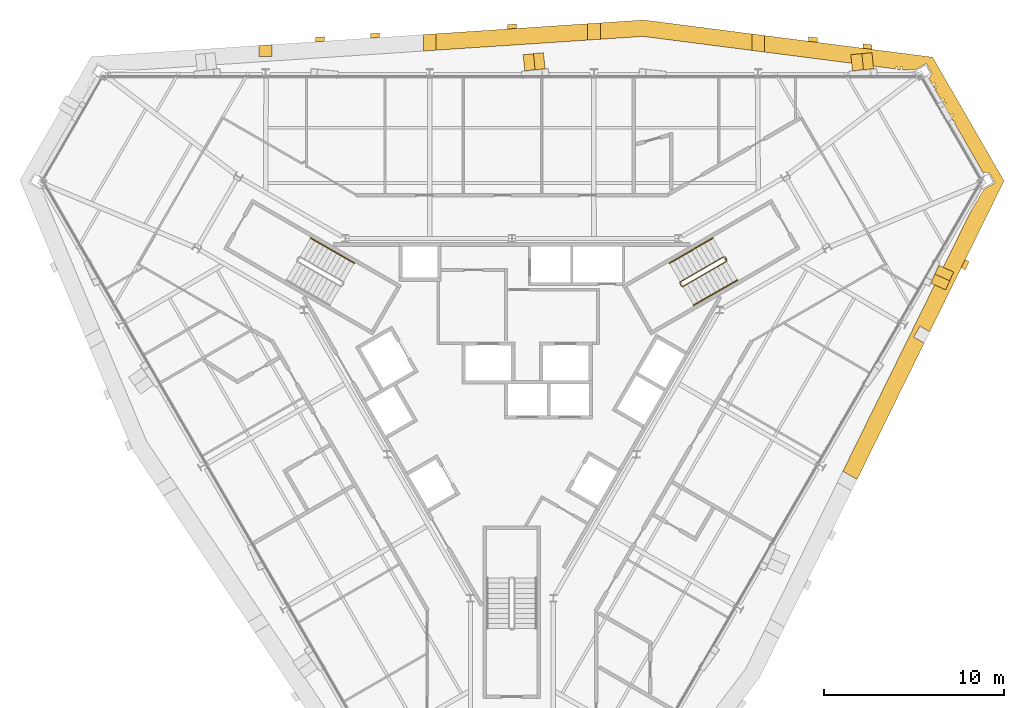
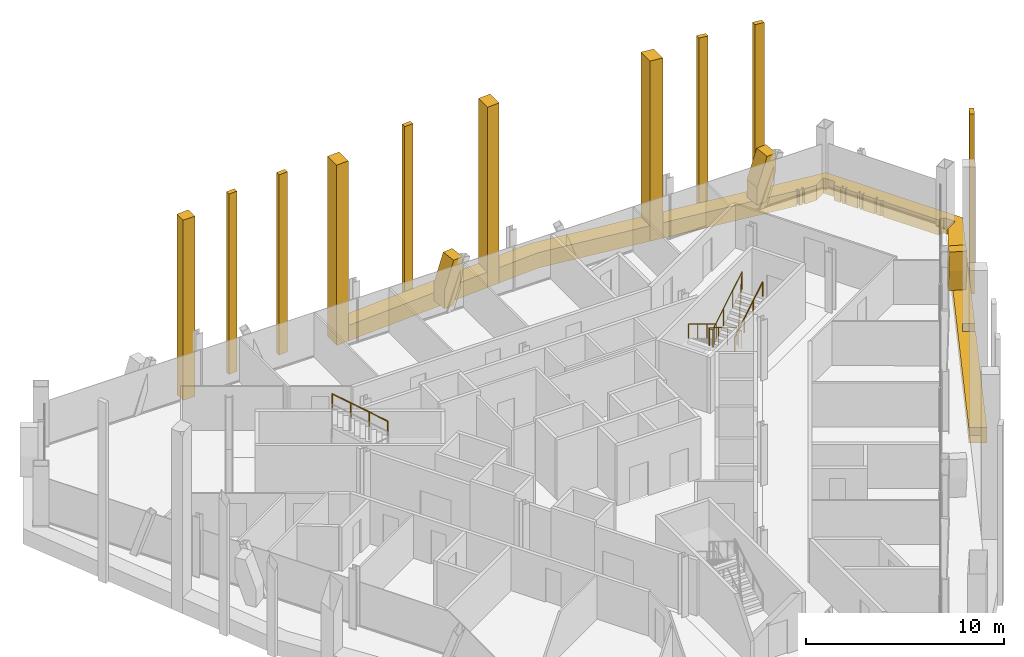
# One storey, part 16 of 16: 16 coverings, 4 railings.
"""IFC4 building model written with IfcOpenShell, lengths in metres."""

from ifc_helpers import new_model, si_unit, direction, frame, origin, origin_2d, place, context, subcontext, project, spatial, polyline, circle, outline, extrude, material, layer, layer_set, type_object, element, save


model = new_model("IFC4")

# Units and contexts
model_context = context("Model", 3, precision=1e-05, world=origin(), true_north=direction((0.0, 1.0)))
body_context = subcontext(model_context, "Body", "Model", "MODEL_VIEW")
ifc_project = project(units=[si_unit("LENGTHUNIT", "METRE"), si_unit("AREAUNIT", "SQUARE_METRE"), si_unit("VOLUMEUNIT", "CUBIC_METRE"), si_unit("PLANEANGLEUNIT", "RADIAN"), si_unit("MASSUNIT", "GRAM", prefix="KILO")], contexts=[model_context])

# Site, building, storey
site_placement = place(None, origin())
site = spatial("IfcSite", under=ifc_project, at=site_placement, CompositionType="ELEMENT")
building_placement = place(site_placement, origin())
building = spatial("IfcBuilding", under=site, at=building_placement, Name="Verrane Prism Tower", CompositionType="ELEMENT")
storey_placement = place(building_placement, frame((0.0, 0.0, 247.10009765625)))
storey = spatial("IfcBuildingStorey", under=building, at=storey_placement, Name="L62", CompositionType="ELEMENT", Elevation=247.10009765625)

# Railings
ifc_material_1 = material(Name="Steel A36 rail and posts, no infill", Category="steel")
railing_type_1 = type_object("IfcRailingType", Name="Stair guard 1100 steel rail and posts", PredefinedType="GUARDRAIL", material=ifc_material_1)
railing_1_placement = place(storey_placement, frame((11.78955078125, 6.97998046875, 0.16796875)))
element("IfcRailing", 1, at=railing_1_placement, inside=storey, type_object=railing_type_1, Name="Stair 1 guard", PredefinedType="GUARDRAIL", context=body_context, shape_type="SweptSolid", body=[
    extrude(circle(Radius=0.02392578125, at=origin_2d()), frame((0.0, 0.0, 1.076171875), z_axis=(-0.742366697286, -0.42866220388, 0.514917859203), x_axis=(0.500049511043, -0.865996816683, 0.0)), (0.0, 0.0, 1.0), 3.266357421875),
    extrude(circle(Radius=0.02392578125, at=origin_2d()), frame((-2.4248046875, -1.400146484375, 2.7578125), z_axis=(-0.259601060869, -0.965715946433, 0.0), x_axis=(0.965715946433, -0.259601060869, 0.0)), (0.0, 0.0, 1.0), 0.070556640625),
    extrude(circle(Radius=0.02392578125, at=origin_2d()), frame((-2.443115234375, -1.46826171875, 2.7578125), z_axis=(0.499158860599, -0.866510491504, 0.0), x_axis=(0.866510491504, 0.499158860599, 0.0)), (0.0, 0.0, 1.0), 0.199951171875),
    extrude(circle(Radius=0.02392578125, at=origin_2d()), frame((-2.34326171875, -1.6416015625, 2.7578125), z_axis=(0.374585375571, -0.100335368456, 0.921747584887), x_axis=(0.258736085224, 0.965948051503, 0.0)), (0.0, 0.0, 1.0), 0.182373046875),
    extrude(circle(Radius=0.02392578125, at=origin_2d()), frame((-2.27490234375, -1.659912109375, 2.92626953125), z_axis=(0.742366697286, 0.42866220388, 0.514917859203), x_axis=(-0.500049511043, 0.865996816683, 0.0)), (0.0, 0.0, 1.0), 3.266357421875),
    extrude(circle(Radius=0.02392578125, at=origin_2d()), frame((0.14990234375, -0.259765625, 4.60791015625), z_axis=(-0.021986835041, 0.065104730107, -0.997636182785), x_axis=(-0.947430582667, -0.3199613899, 0.0)), (0.0, 0.0, 1.0), 3.708740234375),
    extrude(circle(Radius=0.02392578125, at=origin_2d()), frame((0.068359375, -0.018310546875, 0.908203125), z_axis=(0.499158860599, -0.866510491504, 0.0), x_axis=(0.866510491504, 0.499158860599, 0.0)), (0.0, 0.0, 1.0), 0.199951171875),
    extrude(circle(Radius=0.02099609375, at=origin_2d()), origin(), (0.0, 0.0, 1.0), 1.052001953125),
    extrude(circle(Radius=0.02099609375, at=origin_2d()), frame((-0.808349609375, -0.466796875, 0.560546875)), (0.0, 0.0, 1.0), 1.052001953125),
    extrude(circle(Radius=0.02099609375, at=origin_2d()), frame((-1.616455078125, -0.933349609375, 1.121337890625)), (0.0, 0.0, 1.0), 1.052001953125),
    extrude(circle(Radius=0.02099609375, at=origin_2d()), frame((-2.4248046875, -1.400146484375, 1.681884765625)), (0.0, 0.0, 1.0), 1.052001953125),
    extrude(circle(Radius=0.02099609375, at=origin_2d()), frame((-2.443115234375, -1.46826171875, 1.681884765625)), (0.0, 0.0, 1.0), 1.052001953125),
    extrude(circle(Radius=0.02099609375, at=origin_2d()), frame((-2.34326171875, -1.6416015625, 1.681884765625)), (0.0, 0.0, 1.0), 1.052001953125),
    extrude(circle(Radius=0.02099609375, at=origin_2d()), frame((-2.27490234375, -1.659912109375, 1.85009765625)), (0.0, 0.0, 1.0), 1.052001953125),
    extrude(circle(Radius=0.02099609375, at=origin_2d()), frame((-1.466552734375, -1.193115234375, 2.41064453125)), (0.0, 0.0, 1.0), 1.052001953125),
    extrude(circle(Radius=0.02099609375, at=origin_2d()), frame((-0.658447265625, -0.7265625, 2.971435546875)), (0.0, 0.0, 1.0), 1.052001953125),
    extrude(circle(Radius=0.02099609375, at=origin_2d()), frame((0.14990234375, -0.259765625, 3.531982421875)), (0.0, 0.0, 1.0), 1.052001953125),
    extrude(circle(Radius=0.02099609375, at=origin_2d()), frame((0.12939453125, -0.199462890625, 2.60693359375)), (0.0, 0.0, 1.0), 1.052001953125),
    extrude(circle(Radius=0.02099609375, at=origin_2d()), frame((0.109130859375, -0.13916015625, 1.68212890625)), (0.0, 0.0, 1.0), 1.052001953125),
    extrude(circle(Radius=0.02099609375, at=origin_2d()), frame((0.0888671875, -0.07861328125, 0.757080078125)), (0.0, 0.0, 1.0), 1.052001953125),
    extrude(circle(Radius=0.02099609375, at=origin_2d()), frame((0.068359375, -0.018310546875, -0.16796875)), (0.0, 0.0, 1.0), 1.052001953125),
    extrude(circle(Radius=0.02099609375, at=origin_2d()), frame((0.168212890625, -0.191650390625, -0.16796875)), (0.0, 0.0, 1.0), 1.052001953125),
])
ifc_material_2 = material(Name="Steel A36 tube", Category="steel")
railing_type_2 = type_object("IfcRailingType", Name="Stair handrail 900 steel tube", PredefinedType="HANDRAIL", material=ifc_material_2)
railing_2_placement = place(storey_placement, frame((11.189453125, 8.01904296875, 0.16796875)))
element("IfcRailing", 2, at=railing_2_placement, inside=storey, type_object=railing_type_2, Name="Stair 1 handrail", PredefinedType="HANDRAIL", context=body_context, shape_type="SweptSolid", body=[
    extrude(circle(Radius=0.02392578125, at=origin_2d()), frame((0.0, 0.0, 0.8759765625), z_axis=(-0.742390482028, -0.42860119049, 0.514934356695), x_axis=(0.49998411664, -0.866034573852, 0.0)), (0.0, 0.0, 1.0), 3.26611328125),
    extrude(circle(Radius=0.02099609375, at=origin_2d()), origin(), (0.0, 0.0, 1.0), 0.851806640625),
    extrude(circle(Radius=0.02099609375, at=origin_2d()), frame((-0.808349609375, -0.466552734375, 0.560546875)), (0.0, 0.0, 1.0), 0.851806640625),
    extrude(circle(Radius=0.02099609375, at=origin_2d()), frame((-1.616455078125, -0.933349609375, 1.121337890625)), (0.0, 0.0, 1.0), 0.851806640625),
    extrude(circle(Radius=0.02099609375, at=origin_2d()), frame((-2.4248046875, -1.39990234375, 1.681884765625)), (0.0, 0.0, 1.0), 0.851806640625),
])
railing_3_placement = place(storey_placement, frame((10.11474609375, 4.28076171875, 2.01806640625)))
element("IfcRailing", 3, at=railing_3_placement, inside=storey, type_object=railing_type_2, Name="Stair 1 handrail", PredefinedType="HANDRAIL", context=body_context, shape_type="SweptSolid", body=[
    extrude(circle(Radius=0.02392578125, at=origin_2d()), frame((0.0, 0.0, 0.8759765625), z_axis=(0.742366697286, 0.42866220388, 0.514917859203), x_axis=(-0.500049511043, 0.865996816683, 0.0)), (0.0, 0.0, 1.0), 3.266357421875),
    extrude(circle(Radius=0.02099609375, at=origin_2d()), origin(), (0.0, 0.0, 1.0), 0.851806640625),
    extrude(circle(Radius=0.02099609375, at=origin_2d()), frame((0.808349609375, 0.466796875, 0.560546875)), (0.0, 0.0, 1.0), 0.851806640625),
    extrude(circle(Radius=0.02099609375, at=origin_2d()), frame((1.616455078125, 0.933349609375, 1.121337890625)), (0.0, 0.0, 1.0), 0.851806640625),
    extrude(circle(Radius=0.02099609375, at=origin_2d()), frame((2.4248046875, 1.400146484375, 1.681884765625)), (0.0, 0.0, 1.0), 0.851806640625),
])
railing_4_placement = place(storey_placement, frame((-8.7646484375, 6.619140625, 2.01806640625)))
element("IfcRailing", 4, at=railing_4_placement, inside=storey, type_object=railing_type_2, Name="Stair 2 handrail", PredefinedType="HANDRAIL", context=body_context, shape_type="SweptSolid", body=[
    extrude(circle(Radius=0.02392578125, at=origin_2d()), frame((0.0, 0.0, 0.8759765625), z_axis=(-0.742390482028, 0.42860119049, 0.514934356695), x_axis=(-0.49998411664, -0.866034573852, 0.0)), (0.0, 0.0, 1.0), 3.26611328125),
    extrude(circle(Radius=0.02099609375, at=origin_2d()), origin(), (0.0, 0.0, 1.0), 0.851806640625),
    extrude(circle(Radius=0.02099609375, at=origin_2d()), frame((-0.808349609375, 0.466552734375, 0.560546875)), (0.0, 0.0, 1.0), 0.851806640625),
    extrude(circle(Radius=0.02099609375, at=origin_2d()), frame((-1.616455078125, 0.933349609375, 1.121337890625)), (0.0, 0.0, 1.0), 0.851806640625),
    extrude(circle(Radius=0.02099609375, at=origin_2d()), frame((-2.4248046875, 1.39990234375, 1.681884765625)), (0.0, 0.0, 1.0), 0.851806640625),
])

# Coverings
ifc_material_3 = material(Name="Warm limestone cladding", Category="masonry")
ifc_layer_1 = layer(ifc_material_3, 0.89990234375)
ifc_layer_set_1 = layer_set([ifc_layer_1], Name="Stone brace fin 900")
covering_type_1 = type_object("IfcCoveringType", Name="Stone brace fin 900", PredefinedType="CLADDING", material=ifc_layer_set_1)
covering_1_placement = place(storey_placement, frame((18.89599609375, 17.7646484375, 0.0), z_axis=(0.0, 0.0, 1.0), x_axis=(0.995213564909, 0.097723897904, 0.0)))
element("IfcCovering", 5, at=covering_1_placement, inside=storey, type_object=covering_type_1, Name="Stone brace fin N1 L62", PredefinedType="CLADDING", context=body_context, shape_type="SweptSolid", body=[
    extrude(outline(polyline([(1.181640625, 2.75), (0.616943359375, 2.75), (0.0, 1.080810546875), (0.0, 0.0), (0.559814453125, 0.0), (1.181640625, 1.681640625), (1.181640625, 2.75)])), frame((0.0, 0.449951171875, 0.0), z_axis=(0.0, -1.0, 0.0), x_axis=(1.0, 0.0, 0.0)), (0.0, 0.0, 1.0), 0.89990234375),
])
covering_2_placement = place(storey_placement, frame((0.673583984375, 17.764404296875, 0.0), z_axis=(0.0, 0.0, 1.0), x_axis=(0.994813290446, 0.101717831038, 0.0)))
element("IfcCovering", 6, at=covering_2_placement, inside=storey, type_object=covering_type_1, Name="Stone brace fin N3 L62", PredefinedType="CLADDING", context=body_context, shape_type="SweptSolid", body=[
    extrude(outline(polyline([(1.135498046875, 2.75), (0.576416015625, 2.75), (0.0, 1.12744140625), (0.0, 0.0), (0.554443359375, 0.0), (1.135498046875, 1.635009765625), (1.135498046875, 2.75)])), frame((0.0, 0.449951171875, 0.0), z_axis=(0.0, -1.0, 0.0), x_axis=(1.0, 0.0, 0.0)), (0.0, 0.0, 1.0), 0.89990234375),
])
covering_3_placement = place(storey_placement, frame((24.15771484375, 6.31396484375, 0.0), z_axis=(0.0, 0.0, 1.0), x_axis=(-0.406138466053, -0.91381154862, 0.0)))
element("IfcCovering", 7, at=covering_3_placement, inside=storey, type_object=covering_type_1, Name="Stone brace fin SE5 L62", PredefinedType="CLADDING", context=body_context, shape_type="SweptSolid", body=[
    extrude(outline(polyline([(1.08935546875, 2.75), (0.53564453125, 2.75), (0.0, 1.17822265625), (0.0, 0.0), (0.54931640625, 0.0), (1.08935546875, 1.58447265625), (1.08935546875, 2.75)])), frame((0.0, 0.449951171875, 0.0), z_axis=(0.0, -1.0, 0.0), x_axis=(1.0, 0.0, 0.0)), (0.0, 0.0, 1.0), 0.89990234375),
])
ifc_material_4 = material(Name="Warm limestone cladding", Category="masonry")
covering_type_2 = type_object("IfcCoveringType", Name="Stone mullion pier 500", PredefinedType="CLADDING", material=ifc_material_4)
covering_4_placement = place(storey_placement, frame((0.0, 0.0, -0.9501953125)))
element("IfcCovering", 8, at=covering_4_placement, inside=storey, type_object=covering_type_2, Name="Stone pier SM-N0.1 L62-L64", PredefinedType="CLADDING", context=body_context, shape_type="SweptSolid", body=[
    extrude(outline(polyline([(19.542236328125, 18.57177734375), (20.042236328125, 18.50732421875), (20.042236328125, 18.75927734375), (19.542236328125, 18.82373046875), (19.542236328125, 18.57177734375)])), origin(), (0.0, 0.0, 1.0), 11.10009765625),
])
covering_5_placement = place(storey_placement, frame((0.0, 0.0, -0.9501953125)))
element("IfcCovering", 9, at=covering_5_placement, inside=storey, type_object=covering_type_2, Name="Stone pier SM-N0.2 L62-L64", PredefinedType="CLADDING", context=body_context, shape_type="SweptSolid", body=[
    extrude(outline(polyline([(16.497314453125, 18.9638671875), (16.997314453125, 18.8994140625), (16.997314453125, 19.151611328125), (16.497314453125, 19.2158203125), (16.497314453125, 18.9638671875)])), origin(), (0.0, 0.0, 1.0), 11.10009765625),
])
covering_6_placement = place(storey_placement, frame((0.0, 0.0, -0.9501953125)))
element("IfcCovering", 10, at=covering_6_placement, inside=storey, type_object=covering_type_2, Name="Stone pier SM-N2.1 L62-L64", PredefinedType="CLADDING", context=body_context, shape_type="SweptSolid", body=[
    extrude(outline(polyline([(-0.25, 19.640380859375), (0.25, 19.673583984375), (0.25, 19.924072265625), (-0.25, 19.890869140625), (-0.25, 19.640380859375)])), origin(), (0.0, 0.0, 1.0), 11.10009765625),
])
covering_7_placement = place(storey_placement, frame((0.0, 0.0, -0.9501953125)))
element("IfcCovering", 11, at=covering_7_placement, inside=storey, type_object=covering_type_2, Name="Stone pier SM-N3.1 L62-L64", PredefinedType="CLADDING", context=body_context, shape_type="SweptSolid", body=[
    extrude(outline(polyline([(-7.8623046875, 19.13525390625), (-7.3623046875, 19.16845703125), (-7.3623046875, 19.4189453125), (-7.8623046875, 19.385986328125), (-7.8623046875, 19.13525390625)])), origin(), (0.0, 0.0, 1.0), 11.10009765625),
])
covering_8_placement = place(storey_placement, frame((0.0, 0.0, -0.9501953125)))
element("IfcCovering", 12, at=covering_8_placement, inside=storey, type_object=covering_type_2, Name="Stone pier SM-N3.2 L62-L64", PredefinedType="CLADDING", context=body_context, shape_type="SweptSolid", body=[
    extrude(outline(polyline([(-10.907470703125, 18.933349609375), (-10.407470703125, 18.966552734375), (-10.407470703125, 19.217041015625), (-10.907470703125, 19.183837890625), (-10.907470703125, 18.933349609375)])), origin(), (0.0, 0.0, 1.0), 11.10009765625),
])
covering_9_placement = place(storey_placement, frame((0.0, 0.0, -0.9501953125)))
element("IfcCovering", 13, at=covering_9_placement, inside=storey, type_object=covering_type_2, Name="Stone pier SM-SE4.1 L62-L64", PredefinedType="CLADDING", context=body_context, shape_type="SweptSolid", body=[
    extrude(outline(polyline([(25.21923828125, 6.824462890625), (24.997802734375, 6.375), (25.21484375, 6.24951171875), (25.436279296875, 6.69921875), (25.21923828125, 6.824462890625)])), origin(), (0.0, 0.0, 1.0), 11.10009765625),
])
ifc_material_5 = material(Name="Warm limestone cladding", Category="masonry")
covering_type_3 = type_object("IfcCoveringType", Name="Stone pier 700", PredefinedType="CLADDING", material=ifc_material_5)
covering_10_placement = place(storey_placement, frame((0.0, 0.0, -0.9501953125)))
element("IfcCovering", 14, at=covering_10_placement, inside=storey, type_object=covering_type_3, Name="Stone pier PC-N1 L62-L64", PredefinedType="CLADDING", context=body_context, shape_type="SweptSolid", body=[
    extrude(outline(polyline([(13.352294921875, 19.368896484375), (13.352294921875, 18.451416015625), (14.05224609375, 18.361328125), (14.05224609375, 19.27880859375), (13.352294921875, 19.368896484375)])), origin(), (0.0, 0.0, 1.0), 11.10009765625),
])
covering_11_placement = place(storey_placement, frame((0.0, 0.0, -0.9501953125)))
element("IfcCovering", 15, at=covering_11_placement, inside=storey, type_object=covering_type_3, Name="Stone pier PC-N2 L62-L64", PredefinedType="CLADDING", context=body_context, shape_type="SweptSolid", body=[
    extrude(outline(polyline([(4.21728515625, 19.936767578125), (4.21728515625, 19.02490234375), (4.91748046875, 19.0712890625), (4.91748046875, 19.983154296875), (4.21728515625, 19.936767578125)])), origin(), (0.0, 0.0, 1.0), 11.10009765625),
])
covering_12_placement = place(storey_placement, frame((0.0, 0.0, -0.9501953125)))
element("IfcCovering", 16, at=covering_12_placement, inside=storey, type_object=covering_type_3, Name="Stone pier PC-N3 L62-L64", PredefinedType="CLADDING", context=body_context, shape_type="SweptSolid", body=[
    extrude(outline(polyline([(-4.91748046875, 19.330810546875), (-4.91748046875, 18.4189453125), (-4.21728515625, 18.46533203125), (-4.21728515625, 19.377197265625), (-4.91748046875, 19.330810546875)])), origin(), (0.0, 0.0, 1.0), 11.10009765625),
])
covering_13_placement = place(storey_placement, frame((0.0, 0.0, -0.9501953125)))
element("IfcCovering", 17, at=covering_13_placement, inside=storey, type_object=covering_type_3, Name="Stone pier PC-N4 L62-L64", PredefinedType="CLADDING", context=body_context, shape_type="SweptSolid", body=[
    extrude(outline(polyline([(-14.05224609375, 18.10986328125), (-13.352294921875, 18.10986328125), (-13.352294921875, 18.77099609375), (-14.05224609375, 18.724609375), (-14.05224609375, 18.10986328125)])), origin(), (0.0, 0.0, 1.0), 11.10009765625),
])
ifc_material_6 = material(Name="Warm limestone cladding", Category="masonry")
ifc_layer_2 = layer(ifc_material_6, 0.449951171875)
ifc_layer_set_2 = layer_set([ifc_layer_2], Name="Stone spandrel band 450")
covering_type_4 = type_object("IfcCoveringType", Name="Stone spandrel band 450", PredefinedType="CLADDING", material=ifc_layer_set_2)
covering_14_placement = place(storey_placement, frame((0.0, 0.0, -0.9501953125)))
element("IfcCovering", 18, at=covering_14_placement, inside=storey, type_object=covering_type_4, Name="Stone spandrel band L62 part 1", PredefinedType="CLADDING", context=body_context, shape_type="SweptSolid", body=[
    extrude(outline(polyline([(14.05224609375, 18.361328125), (21.3291015625, 17.42431640625), (21.3291015625, 17.530029296875), (21.4453125, 17.530029296875), (21.4453125, 17.4091796875), (21.621826171875, 17.386474609375), (21.621826171875, 17.530029296875), (21.732177734375, 17.530029296875), (21.732177734375, 17.372314453125), (21.8017578125, 17.36328125), (22.410888671875, 17.36328125), (23.04736328125, 17.730712890625), (23.37744140625, 17.1591796875), (23.3583984375, 17.148193359375), (23.24755859375, 16.958984375), (23.172607421875, 16.915771484375), (23.3701171875, 16.573486328125), (23.51611328125, 16.65771484375), (23.56103515625, 16.579833984375), (23.4150390625, 16.495849609375), (23.493896484375, 16.359130859375), (23.639892578125, 16.443359375), (23.6689453125, 16.392822265625), (23.523193359375, 16.30859375), (23.867919921875, 15.711181640625), (24.013671875, 15.795166015625), (24.059814453125, 15.715087890625), (23.914306640625, 15.631103515625), (23.994384765625, 15.492431640625), (24.139892578125, 15.576171875), (24.1689453125, 15.525634765625), (24.023681640625, 15.44189453125), (24.368408203125, 14.844482421875), (24.513671875, 14.927978515625), (24.559814453125, 14.84765625), (24.414794921875, 14.76416015625), (24.551513671875, 14.52734375), (24.67138671875, 14.502685546875), (24.656494140625, 14.430908203125), (24.6005859375, 14.4423828125), (26.237060546875, 11.60791015625), (26.3095703125, 11.64990234375), (26.5283203125, 11.64990234375), (26.54736328125, 11.660888671875), (26.87744140625, 11.089111328125), (26.239013671875, 10.720703125), (25.45068359375, 9.355224609375), (18.409912109375, -4.95068359375), (19.19970703125, -5.40673828125), (22.932373046875, 2.177978515625), (22.354248046875, 2.51171875), (22.704345703125, 3.117919921875), (23.2421875, 2.807373046875), (27.37109375, 11.19677734375), (23.39990234375, 18.07470703125), (14.05224609375, 19.27880859375), (14.05224609375, 18.361328125)])), origin(), (0.0, 0.0, 1.0), 0.9501953125),
])
covering_15_placement = place(storey_placement, frame((0.0, 0.0, -0.9501953125)))
element("IfcCovering", 19, at=covering_15_placement, inside=storey, type_object=covering_type_4, Name="Stone spandrel band L62 part 8", PredefinedType="CLADDING", context=body_context, shape_type="SweptSolid", body=[
    extrude(outline(polyline([(4.91748046875, 19.983154296875), (4.91748046875, 19.0712890625), (7.307861328125, 19.22998046875), (13.352294921875, 18.451416015625), (13.352294921875, 19.368896484375), (7.336181640625, 20.143798828125), (4.91748046875, 19.983154296875)])), origin(), (0.0, 0.0, 1.0), 0.9501953125),
])
covering_16_placement = place(storey_placement, frame((0.0, 0.0, -0.9501953125)))
element("IfcCovering", 20, at=covering_16_placement, inside=storey, type_object=covering_type_4, Name="Stone spandrel band L62 part 9", PredefinedType="CLADDING", context=body_context, shape_type="SweptSolid", body=[
    extrude(outline(polyline([(-4.21728515625, 18.46533203125), (4.21728515625, 19.02490234375), (4.21728515625, 19.936767578125), (-4.21728515625, 19.377197265625), (-4.21728515625, 18.46533203125)])), origin(), (0.0, 0.0, 1.0), 0.9501953125),
])

save(model, "model.ifc")
